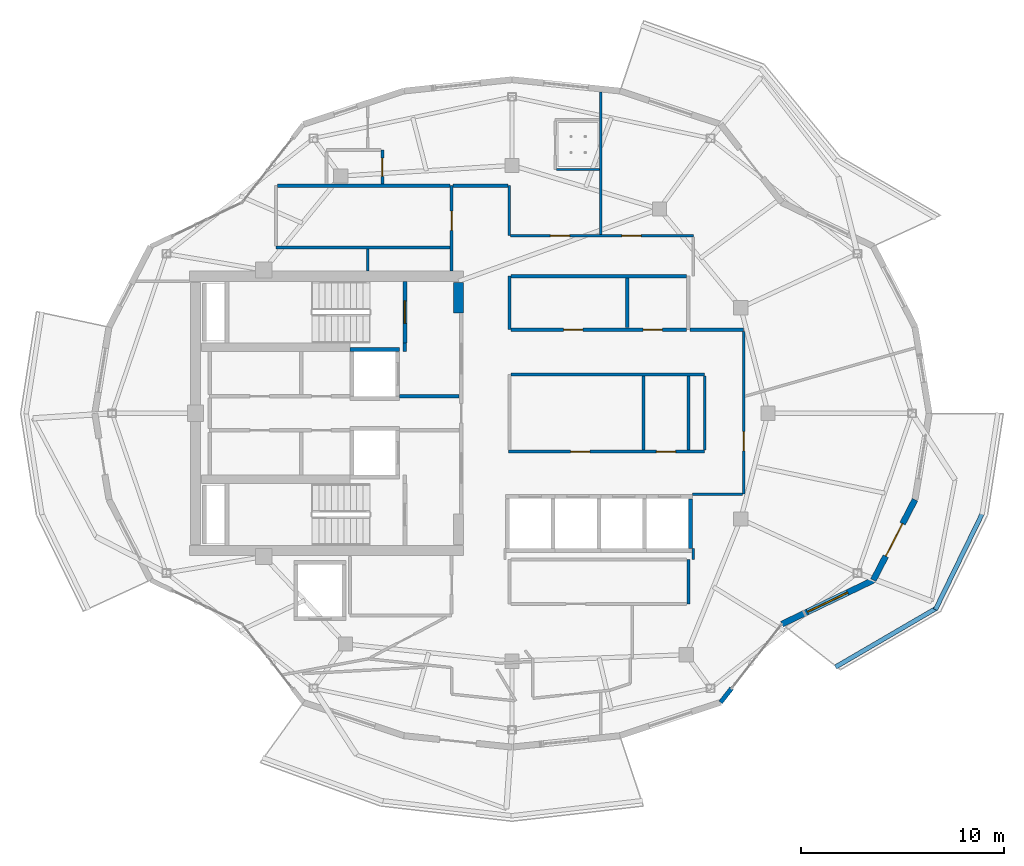
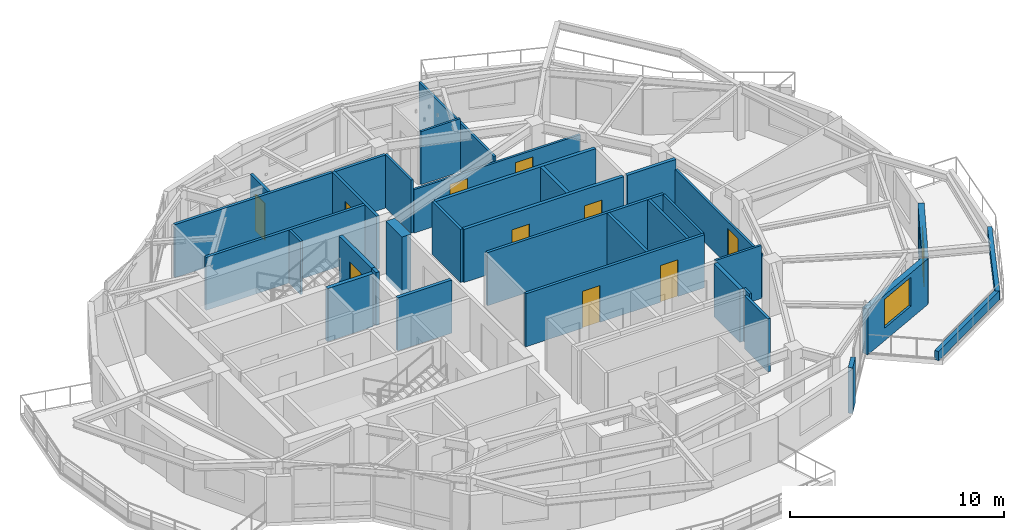
# One storey, part 10 of 15: 35 walls, 11 doors, 1 window, 12 openings.
"""IFC4 building model written with IfcOpenShell, lengths in metres."""

from ifc_helpers import new_model, si_unit, direction, frame, frame_2d, origin, place, context, subcontext, project, spatial, rectangle, extrude, material, layer, layer_set, type_object, element, fill, save


model = new_model("IFC4")

# Units and contexts
model_context = context("Model", 3, precision=1e-05, world=origin(), true_north=direction((0.0, 1.0)))
body_context = subcontext(model_context, "Body", "Model", "MODEL_VIEW")
ifc_project = project(units=[si_unit("LENGTHUNIT", "METRE"), si_unit("AREAUNIT", "SQUARE_METRE"), si_unit("VOLUMEUNIT", "CUBIC_METRE"), si_unit("PLANEANGLEUNIT", "RADIAN"), si_unit("MASSUNIT", "GRAM", prefix="KILO")], contexts=[model_context])

# Site, building, storey
site_placement = place(None, origin())
site = spatial("IfcSite", under=ifc_project, at=site_placement, CompositionType="ELEMENT")
building_placement = place(site_placement, origin())
building = spatial("IfcBuilding", under=site, at=building_placement, Name="Kolvaren Gate Tower and Convention Centre", CompositionType="ELEMENT")
storey_placement = place(building_placement, frame((0.0, 0.0, 265.699951171875)))
storey = spatial("IfcBuildingStorey", under=building, at=storey_placement, Name="L72", CompositionType="ELEMENT", Elevation=265.699951171875)

# Walls
ifc_material_1 = material(Name="Autoclaved Aerated Masonry Blockwork Class 4 (4.0 MPa)", Category="masonry")
ifc_layer_1 = layer(ifc_material_1, 0.179931640625)
ifc_layer_set_1 = layer_set([ifc_layer_1], Name="Autoclaved Aerated Masonry Blockwork Class 4 (4.0 MPa)")
wall_type_1 = type_object("IfcWallType", Name="ARCH-WL-COMP-180", PredefinedType="SOLIDWALL", material=ifc_layer_set_1)
wall_1_placement = place(storey_placement, frame((24.85009765625, 30.0400390625, 0.0), z_axis=(0.0, 0.0, 1.0), x_axis=(0.0, 1.0, 0.0)))
element("IfcWall", 1, at=wall_1_placement, inside=storey, type_object=wall_type_1, Name="Interior Partition WL-L72-INT-002", PredefinedType="SOLIDWALL", context=body_context, shape_type="SweptSolid", body=[
    extrude(rectangle(XDim=0.419921875, YDim=0.179931640625, at=frame_2d((0.2099609375, 0.0))), origin(), (0.0, 0.0, 1.0), 3.030029296875),
])
wall_2_placement = place(storey_placement, frame((24.60009765625, 27.840087890625, 0.0), z_axis=(0.0, 0.0, 1.0), x_axis=(1.0, 0.0, 0.0)))
element("IfcWall", 2, at=wall_2_placement, inside=storey, type_object=wall_type_1, Name="Interior Partition WL-L72-INT-004 (2)", PredefinedType="SOLIDWALL", context=body_context, shape_type="SweptSolid", body=[
    extrude(rectangle(XDim=2.927978515625, YDim=0.179931640625, at=frame_2d((1.4638671875, 0.0))), origin(), (0.0, 0.0, 1.0), 3.030029296875),
])

# Wall, openings, doors
wall_3_placement = place(storey_placement, frame((30.076904296875, 31.1201171875, 0.0), z_axis=(0.0, 0.0, 1.0), x_axis=(1.0, 0.0, 0.0)))
wall_3 = element("IfcWall", 3, at=wall_3_placement, inside=storey, type_object=wall_type_1, Name="Interior Partition WL-L72-INT-024", PredefinedType="SOLIDWALL", context=body_context, shape_type="SweptSolid", body=[
    extrude(rectangle(XDim=8.631103515625, YDim=0.179931640625, at=frame_2d((4.3154296875, 0.0))), origin(), (0.0, 0.0, 1.0), 3.030029296875),
])
opening_1_placement = place(wall_3_placement, frame((2.591552734375, 0.0, 0.0)))
opening_1 = element("IfcOpeningElement", 4, at=opening_1_placement, cuts=wall_3, Name="Opening DR-01", PredefinedType="OPENING", context=body_context, shape_type="SweptSolid", body=[
    extrude(rectangle(XDim=0.949951171875, YDim=2.10009765625, at=frame_2d((0.47509765625, 1.050048828125))), frame((0.0, 0.099853515625, 0.0), z_axis=(0.0, -1.0, 0.0), x_axis=(1.0, 0.0, 0.0)), (0.0, 0.0, 1.0), 0.199951171875),
])
opening_2_placement = place(wall_3_placement, frame((6.4970703125, 0.0, 0.0)))
opening_2 = element("IfcOpeningElement", 5, at=opening_2_placement, cuts=wall_3, Name="Opening DR-01", PredefinedType="OPENING", context=body_context, shape_type="SweptSolid", body=[
    extrude(rectangle(XDim=0.949951171875, YDim=2.10009765625, at=frame_2d((0.47509765625, 1.050048828125))), frame((0.0, 0.099853515625, 0.0), z_axis=(0.0, -1.0, 0.0), x_axis=(1.0, 0.0, 0.0)), (0.0, 0.0, 1.0), 0.199951171875),
])
ifc_material_2 = material(Name="Painted Architectural Steelwork ASTM A500 Grade C 345 MPa", Category="steel")
door_type_1 = type_object("IfcDoorType", Name="ARCH-DR-RISER-950", OperationType="SINGLE_SWING_RIGHT", PredefinedType="DOOR", material=ifc_material_2)
door_1_placement = place(opening_1_placement, origin())
door_1 = element("IfcDoor", 6, at=door_1_placement, inside=storey, type_object=door_type_1, Name="Steward Supply Store Door", OperationType="SINGLE_SWING_LEFT", OverallHeight=2.10009765625, OverallWidth=0.949951171875, PredefinedType="DOOR", context=body_context, shape_type="SweptSolid", body=[
    extrude(rectangle(XDim=0.949951171875, YDim=2.10009765625, at=frame_2d((0.47509765625, 1.050048828125))), frame((0.0, 0.02490234375, 0.0), z_axis=(0.0, -1.0, 0.0), x_axis=(1.0, 0.0, 0.0)), (0.0, 0.0, 1.0), 0.050048828125),
])
fill(opening_1, door_1)
door_2_placement = place(opening_2_placement, origin())
door_2 = element("IfcDoor", 7, at=door_2_placement, inside=storey, type_object=door_type_1, Name="Floor Telecom Switch Room Door", OperationType="SINGLE_SWING_RIGHT", OverallHeight=2.10009765625, OverallWidth=0.949951171875, PredefinedType="DOOR", context=body_context, shape_type="SweptSolid", body=[
    extrude(rectangle(XDim=0.949951171875, YDim=2.10009765625, at=frame_2d((0.47509765625, 1.050048828125))), frame((0.0, 0.02490234375, 0.0), z_axis=(0.0, -1.0, 0.0), x_axis=(1.0, 0.0, 0.0)), (0.0, 0.0, 1.0), 0.050048828125),
])
fill(opening_2, door_2)

# Walls
wall_4_placement = place(storey_placement, frame((38.89208984375, 31.1201171875, 0.0), z_axis=(0.0, 0.0, 1.0), x_axis=(1.0, 0.0, 0.0)))
element("IfcWall", 8, at=wall_4_placement, inside=storey, type_object=wall_type_1, Name="Interior Partition WL-L72-INT-024 (2)", PredefinedType="SOLIDWALL", context=body_context, shape_type="SweptSolid", body=[
    extrude(rectangle(XDim=2.6279296875, YDim=0.179931640625, at=frame_2d((1.31396484375, 0.0))), origin(), (0.0, 0.0, 1.0), 3.030029296875),
])
wall_5_placement = place(storey_placement, frame((30.076904296875, 33.75, 0.0), z_axis=(0.0, 0.0, 1.0), x_axis=(1.0, 0.0, 0.0)))
element("IfcWall", 9, at=wall_5_placement, inside=storey, type_object=wall_type_1, Name="Interior Partition WL-L72-INT-025", PredefinedType="SOLIDWALL", context=body_context, shape_type="SweptSolid", body=[
    extrude(rectangle(XDim=8.631103515625, YDim=0.179931640625, at=frame_2d((4.3154296875, 0.0))), origin(), (0.0, 0.0, 1.0), 3.030029296875),
])
wall_6_placement = place(storey_placement, frame((35.800048828125, 31.2119140625, 0.0), z_axis=(0.0, 0.0, 1.0), x_axis=(0.0, 1.0, 0.0)))
element("IfcWall", 10, at=wall_6_placement, inside=storey, type_object=wall_type_1, Name="Interior Partition WL-L72-INT-026", PredefinedType="SOLIDWALL", context=body_context, shape_type="SweptSolid", body=[
    extrude(rectangle(XDim=2.446044921875, YDim=0.179931640625, at=frame_2d((1.22314453125, 0.0))), origin(), (0.0, 0.0, 1.0), 3.030029296875),
])
ifc_material_3 = material(Name="Fire-Rated Acoustic Gypsum Stud Partition", Category="gypsum")
ifc_layer_2 = layer(ifc_material_3, 0.1201171875)
ifc_layer_set_2 = layer_set([ifc_layer_2], Name="Fire-Rated Acoustic Gypsum Stud Partition")
wall_type_2 = type_object("IfcWallType", Name="ARCH-WL-PART-120", PredefinedType="PARTITIONING", material=ifc_layer_set_2)
wall_7_placement = place(storey_placement, frame((30.0, 35.75, 0.0), z_axis=(0.0, 0.0, 1.0), x_axis=(0.0, 1.0, 0.0)))
element("IfcWall", 11, at=wall_7_placement, inside=storey, type_object=wall_type_2, Name="Interior Partition WL-L72-INT-018", PredefinedType="PARTITIONING", context=body_context, shape_type="SweptSolid", body=[
    extrude(rectangle(XDim=2.449951171875, YDim=0.1201171875, at=frame_2d((1.22509765625, 0.0))), origin(), (0.0, 0.0, 1.0), 3.030029296875),
])

# Wall, openings, doors
wall_8_placement = place(storey_placement, frame((30.06201171875, 35.75, 0.0), z_axis=(0.0, 0.0, 1.0), x_axis=(1.0, 0.0, 0.0)))
wall_8 = element("IfcWall", 12, at=wall_8_placement, inside=storey, type_object=wall_type_2, Name="Interior Partition WL-L72-INT-032", PredefinedType="PARTITIONING", context=body_context, shape_type="SweptSolid", body=[
    extrude(rectangle(XDim=8.988037109375, YDim=0.1201171875, at=frame_2d((4.494140625, 0.0))), origin(), (0.0, 0.0, 1.0), 2.47802734375),
])
opening_3_placement = place(wall_8_placement, frame((5.472900390625, 0.0, 0.0)))
opening_3 = element("IfcOpeningElement", 13, at=opening_3_placement, cuts=wall_8, Name="Opening DR-01", PredefinedType="OPENING", context=body_context, shape_type="SweptSolid", body=[
    extrude(rectangle(XDim=0.949951171875, YDim=2.10009765625, at=frame_2d((0.47509765625, 1.050048828125))), frame((0.0, 0.070068359375, 0.0), z_axis=(0.0, -1.0, 0.0), x_axis=(1.0, 0.0, 0.0)), (0.0, 0.0, 1.0), 0.14013671875),
])
opening_4_placement = place(wall_8_placement, frame((1.948974609375, 0.0, 0.0)))
opening_4 = element("IfcOpeningElement", 14, at=opening_4_placement, cuts=wall_8, Name="Opening DR-01", PredefinedType="OPENING", context=body_context, shape_type="SweptSolid", body=[
    extrude(rectangle(XDim=0.949951171875, YDim=2.10009765625, at=frame_2d((0.47509765625, 1.050048828125))), frame((0.0, 0.070068359375, 0.0), z_axis=(0.0, -1.0, 0.0), x_axis=(1.0, 0.0, 0.0)), (0.0, 0.0, 1.0), 0.14013671875),
])
door_3_placement = place(opening_3_placement, origin())
door_3 = element("IfcDoor", 15, at=door_3_placement, inside=storey, type_object=door_type_1, Name="Resident Private Study and Home Office Door", OperationType="SINGLE_SWING_RIGHT", OverallHeight=2.10009765625, OverallWidth=0.949951171875, PredefinedType="DOOR", context=body_context, shape_type="SweptSolid", body=[
    extrude(rectangle(XDim=0.949951171875, YDim=2.10009765625, at=frame_2d((0.47509765625, 1.050048828125))), frame((0.0, 0.02490234375, 0.0), z_axis=(0.0, -1.0, 0.0), x_axis=(1.0, 0.0, 0.0)), (0.0, 0.0, 1.0), 0.050048828125),
])
fill(opening_3, door_3)
door_4_placement = place(opening_4_placement, origin())
door_4 = element("IfcDoor", 16, at=door_4_placement, inside=storey, type_object=door_type_1, Name="Sky Villa Living and Dining Room (APT-L72-01) Door", OperationType="SINGLE_SWING_LEFT", OverallHeight=2.10009765625, OverallWidth=0.949951171875, PredefinedType="DOOR", context=body_context, shape_type="SweptSolid", body=[
    extrude(rectangle(XDim=0.949951171875, YDim=2.10009765625, at=frame_2d((0.47509765625, 1.050048828125))), frame((0.0, 0.02490234375, 0.0), z_axis=(0.0, -1.0, 0.0), x_axis=(1.0, 0.0, 0.0)), (0.0, 0.0, 1.0), 0.050048828125),
])
fill(opening_4, door_4)

# Wall
wall_9_placement = place(storey_placement, frame((39.050048828125, 19.800048828125, 0.0), z_axis=(0.0, 0.0, 1.0), x_axis=(0.0, 1.0, 0.0)))
element("IfcWall", 17, at=wall_9_placement, inside=storey, type_object=wall_type_2, Name="Interior Partition WL-L72-INT-033", PredefinedType="PARTITIONING", context=body_context, shape_type="SweptSolid", body=[
    extrude(rectangle(XDim=0.56005859375, YDim=0.1201171875, at=frame_2d((0.280029296875, 0.0))), origin(), (0.0, 0.0, 1.0), 3.030029296875),
])

# Wall, opening, door
wall_10_placement = place(storey_placement, frame((41.52001953125, 23.02001953125, 0.0), z_axis=(0.0, 0.0, 1.0), x_axis=(0.0, 1.0, 0.0)))
wall_10 = element("IfcWall", 18, at=wall_10_placement, inside=storey, type_object=wall_type_2, Name="Interior Partition WL-L72-INT-035", PredefinedType="PARTITIONING", context=body_context, shape_type="SweptSolid", body=[
    extrude(rectangle(XDim=8.008056640625, YDim=0.1201171875, at=frame_2d((4.00390625, 0.0))), origin(), (0.0, 0.0, 1.0), 2.47802734375),
])
opening_5_placement = place(wall_10_placement, frame((2.134765625, 0.0, 0.0)))
opening_5 = element("IfcOpeningElement", 19, at=opening_5_placement, cuts=wall_10, Name="Opening DR-01", PredefinedType="OPENING", context=body_context, shape_type="SweptSolid", body=[
    extrude(rectangle(XDim=0.949951171875, YDim=2.10009765625, at=frame_2d((0.47509765625, 1.050048828125))), frame((0.0, 0.070068359375, 0.0), z_axis=(0.0, -1.0, 0.0), x_axis=(1.0, 0.0, 0.0)), (0.0, 0.0, 1.0), 0.14013671875),
])
door_5_placement = place(opening_5_placement, origin())
door_5 = element("IfcDoor", 20, at=door_5_placement, inside=storey, type_object=door_type_1, Name="Resident Private Study and Home Office Door", OperationType="SINGLE_SWING_LEFT", OverallHeight=2.10009765625, OverallWidth=0.949951171875, PredefinedType="DOOR", context=body_context, shape_type="SweptSolid", body=[
    extrude(rectangle(XDim=0.949951171875, YDim=2.10009765625, at=frame_2d((0.47509765625, 1.050048828125))), frame((0.0, 0.02490234375, 0.0), z_axis=(0.0, -1.0, 0.0), x_axis=(1.0, 0.0, 0.0)), (0.0, 0.0, 1.0), 0.050048828125),
])
fill(opening_5, door_5)

# Walls
wall_11_placement = place(storey_placement, frame((39.0, 23.02001953125, 0.0), z_axis=(0.0, 0.0, 1.0), x_axis=(1.0, 0.0, 0.0)))
element("IfcWall", 21, at=wall_11_placement, inside=storey, type_object=wall_type_2, Name="Interior Partition WL-L72-INT-036", PredefinedType="PARTITIONING", context=body_context, shape_type="SweptSolid", body=[
    extrude(rectangle(XDim=2.4580078125, YDim=0.1201171875, at=frame_2d((1.22900390625, 0.0))), origin(), (0.0, 0.0, 1.0), 3.030029296875),
])
wall_12_placement = place(storey_placement, frame((39.60009765625, 25.197021484375, 0.0), z_axis=(0.0, 0.0, 1.0), x_axis=(0.0, 1.0, 0.0)))
element("IfcWall", 22, at=wall_12_placement, inside=storey, type_object=wall_type_2, Name="Interior Partition WL-L72-INT-048", PredefinedType="PARTITIONING", context=body_context, shape_type="SweptSolid", body=[
    extrude(rectangle(XDim=3.64599609375, YDim=0.1201171875, at=frame_2d((1.822998046875, 0.0))), origin(), (0.0, 0.0, 1.0), 3.030029296875),
])
wall_13_placement = place(storey_placement, frame((34.5, 35.81201171875, 0.0), z_axis=(0.0, 0.0, 1.0), x_axis=(0.0, 1.0, 0.0)))
element("IfcWall", 23, at=wall_13_placement, inside=storey, type_object=wall_type_2, Name="Interior Partition WL-L72-INT-054", PredefinedType="PARTITIONING", context=body_context, shape_type="SweptSolid", body=[
    extrude(rectangle(XDim=6.999267578125, YDim=0.1201171875, at=frame_2d((3.49951171875, 0.0))), origin(), (0.0, 0.0, 1.0), 2.77001953125),
])
wall_14_placement = place(storey_placement, frame((32.31201171875, 39.0, 0.0), z_axis=(0.0, 0.0, 1.0), x_axis=(1.0, 0.0, 0.0)))
element("IfcWall", 24, at=wall_14_placement, inside=storey, type_object=wall_type_2, Name="Interior Partition WL-L72-INT-058", PredefinedType="PARTITIONING", context=body_context, shape_type="SweptSolid", body=[
    extrude(rectangle(XDim=2.1259765625, YDim=0.1201171875, at=frame_2d((1.06298828125, 0.0))), origin(), (0.0, 0.0, 1.0), 3.030029296875),
])
wall_15_placement = place(storey_placement, frame((23.02392578125, 34.001953125, 0.0), z_axis=(0.0, 0.0, 1.0), x_axis=(0.0, 1.0, 0.0)))
element("IfcWall", 25, at=wall_15_placement, inside=storey, type_object=wall_type_2, Name="Interior Partition WL-L72-INT-061", PredefinedType="PARTITIONING", context=body_context, shape_type="SweptSolid", body=[
    extrude(rectangle(XDim=1.0810546875, YDim=0.1201171875, at=frame_2d((0.54052734375, 0.0))), origin(), (0.0, 0.0, 1.0), 3.030029296875),
])
ifc_material_4 = material(Name="Bogota Sabana Bush-Hammered Sandstone Cladding", Category="masonry")
ifc_layer_3 = layer(ifc_material_4, 0.219970703125)
ifc_layer_set_3 = layer_set([ifc_layer_3], Name="Bogota Sabana Bush-Hammered Sandstone Cladding")
wall_type_3 = type_object("IfcWallType", Name="ARCH-WL-PIER-220", PredefinedType="SOLIDWALL", material=ifc_layer_set_3)
wall_16_placement = place(storey_placement, frame((40.390625, 12.775390625, 0.0), z_axis=(0.0, 0.0, 1.0), x_axis=(0.616368366719, 0.787457958566, 0.0)))
element("IfcWall", 26, at=wall_16_placement, inside=storey, type_object=wall_type_3, Name="Tower L72 Unitised Curtain Wall CW-RES-UNIT Bay 20 Left Column Pier Wrap", PredefinedType="SOLIDWALL", context=body_context, shape_type="SweptSolid", body=[
    extrude(rectangle(XDim=0.876220703125, YDim=0.219970703125, at=frame_2d((0.43798828125, 0.0))), origin(), (0.0, 0.0, 1.0), 2.60498046875),
])
ifc_material_5 = material(Name="Piedmont Cream Honed Limestone Cladding", Category="masonry")
ifc_layer_4 = layer(ifc_material_5, 0.219970703125)
ifc_layer_set_4 = layer_set([ifc_layer_4], Name="Piedmont Cream Honed Limestone Cladding")
wall_type_4 = type_object("IfcWallType", Name="ARCH-WL-PLANTER-220", PredefinedType="PARAPET", material=ifc_layer_set_4)
wall_17_placement = place(storey_placement, frame((46.0478515625, 14.515380859375, 0.0), z_axis=(0.0, 0.0, 1.0), x_axis=(0.863803671285, 0.503828559606, 0.0)))
element("IfcWall", 27, at=wall_17_placement, inside=storey, type_object=wall_type_4, Name="Vertical-Forest Balcony Stone Planter Kerb PK-L72-4.1", PredefinedType="PARAPET", context=body_context, shape_type="SweptSolid", body=[
    extrude(rectangle(XDim=5.719482421875, YDim=0.219970703125, at=frame_2d((2.85986328125, 0.0))), origin(), (0.0, 0.0, 1.0), 0.52001953125),
])
wall_18_placement = place(storey_placement, frame((50.96240234375, 17.341064453125, 0.0), z_axis=(0.0, 0.0, 1.0), x_axis=(0.438469339137, 0.898746148051, 0.0)))
element("IfcWall", 28, at=wall_18_placement, inside=storey, type_object=wall_type_4, Name="Vertical-Forest Balcony Stone Planter Kerb PK-L72-4.2", PredefinedType="PARAPET", context=body_context, shape_type="SweptSolid", body=[
    extrude(rectangle(XDim=5.26171875, YDim=0.219970703125, at=frame_2d((2.630859375, 0.0))), origin(), (0.0, 0.0, 1.0), 0.52001953125),
])
ifc_layer_5 = layer(ifc_material_1, 0.199951171875)
ifc_layer_set_5 = layer_set([ifc_layer_5], Name="Autoclaved Aerated Masonry Blockwork Class 4 (4.0 MPa)")
wall_type_5 = type_object("IfcWallType", Name="ARCH-WL-SHAFT-200", PredefinedType="SOLIDWALL", material=ifc_layer_set_5)
wall_19_placement = place(storey_placement, frame((22.14990234375, 30.139892578125, 0.0), z_axis=(0.0, 0.0, 1.0), x_axis=(1.0, 0.0, 0.0)))
element("IfcWall", 29, at=wall_19_placement, inside=storey, type_object=wall_type_5, Name="Elevator FF-01 L72 Fire Shaft Wall N", PredefinedType="SOLIDWALL", context=body_context, shape_type="SweptSolid", body=[
    extrude(rectangle(XDim=2.4501953125, YDim=0.199951171875, at=frame_2d((1.22509765625, 0.0))), origin(), (0.0, 0.0, 1.0), 3.030029296875),
])
wall_20_placement = place(storey_placement, frame((38.89990234375, 20.360107421875, 0.0), z_axis=(0.0, 0.0, 1.0), x_axis=(0.0, 1.0, 0.0)))
element("IfcWall", 30, at=wall_20_placement, inside=storey, type_object=wall_type_5, Name="Elevator PL-12 L72 Fire Shaft Wall E", PredefinedType="SOLIDWALL", context=body_context, shape_type="SweptSolid", body=[
    extrude(rectangle(XDim=2.429931640625, YDim=0.199951171875, at=frame_2d((1.21484375, 0.0))), origin(), (0.0, 0.0, 1.0), 3.030029296875),
])

# Wall, opening, window
ifc_layer_6 = layer(ifc_material_5, 0.300048828125)
ifc_layer_set_6 = layer_set([ifc_layer_6], Name="Piedmont Cream Honed Limestone Cladding")
wall_type_6 = type_object("IfcWallType", Name="ARCH-WL-STONE-300", PredefinedType="SOLIDWALL", material=ifc_layer_set_6)
wall_21_placement = place(storey_placement, frame((43.40380859375, 16.62451171875, 0.0), z_axis=(0.0, 0.0, 1.0), x_axis=(0.901346013132, 0.433099716706, 0.0)))
wall_21 = element("IfcWall", 31, at=wall_21_placement, inside=storey, type_object=wall_type_6, Name="Tower L72 Honed Stone Spandrel Wall EW-21", PredefinedType="SOLIDWALL", context=body_context, shape_type="SweptSolid", body=[
    extrude(rectangle(XDim=4.994384765625, YDim=0.300048828125, at=frame_2d((2.4970703125, 0.0))), origin(), (0.0, 0.0, 1.0), 2.60498046875),
])
opening_6_placement = place(wall_21_placement, frame((1.39697265625, 0.0, 0.719970703125)))
opening_6 = element("IfcOpeningElement", 32, at=opening_6_placement, cuts=wall_21, Name="Opening W-03", PredefinedType="OPENING", context=body_context, shape_type="SweptSolid", body=[
    extrude(rectangle(XDim=2.199951171875, YDim=1.64990234375, at=frame_2d((1.10009765625, 0.824951171875))), frame((0.0, 0.159912109375, 0.0), z_axis=(0.0, -1.0, 0.0), x_axis=(1.0, 0.0, 0.0)), (0.0, 0.0, 1.0), 0.320068359375),
])
ifc_material_6 = material(Name="Low-E Triple Insulated Glazing Unit 44 mm", Category="glass")
window_type = type_object("IfcWindowType", Name="ARCH-WN-RES-2200", PartitioningType="SINGLE_PANEL", PredefinedType="WINDOW", material=ifc_material_6)
window_placement = place(opening_6_placement, origin())
window = element("IfcWindow", 33, at=window_placement, inside=storey, type_object=window_type, Name="Tower L72 Punched Stone Facade Window W-21", OverallHeight=1.64990234375, OverallWidth=2.199951171875, PartitioningType="SINGLE_PANEL", PredefinedType="WINDOW", context=body_context, shape_type="SweptSolid", body=[
    extrude(rectangle(XDim=2.199951171875, YDim=1.64990234375, at=frame_2d((1.10009765625, 0.824951171875))), frame((0.0, 0.030029296875, 0.0), z_axis=(0.0, -1.0, 0.0), x_axis=(1.0, 0.0, 0.0)), (0.0, 0.0, 1.0), 0.06005859375),
])
fill(opening_6, window)

# Wall, opening, door
wall_22_placement = place(storey_placement, frame((47.905517578125, 18.78759765625, 0.0), z_axis=(0.0, 0.0, 1.0), x_axis=(0.459801070243, 0.888021945564, 0.0)))
wall_22 = element("IfcWall", 34, at=wall_22_placement, inside=storey, type_object=wall_type_6, Name="Tower L72 Honed Stone Spandrel Wall EW-22", PredefinedType="SOLIDWALL", context=body_context, shape_type="SweptSolid", body=[
    extrude(rectangle(XDim=4.460693359375, YDim=0.300048828125, at=frame_2d((2.23046875, 0.0))), origin(), (0.0, 0.0, 1.0), 2.60498046875),
])
opening_7_placement = place(wall_22_placement, frame((1.330078125, 0.0, 0.0)))
opening_7 = element("IfcOpeningElement", 35, at=opening_7_placement, cuts=wall_22, Name="Opening DB-01", PredefinedType="OPENING", context=body_context, shape_type="SweptSolid", body=[
    extrude(rectangle(XDim=1.800048828125, YDim=2.25, at=frame_2d((0.89990234375, 1.125))), frame((0.0, 0.159912109375, 0.0), z_axis=(0.0, -1.0, 0.0), x_axis=(1.0, 0.0, 0.0)), (0.0, 0.0, 1.0), 0.320068359375),
])
ifc_material_7 = material(Name="Anodized Architectural Aluminium Alloy 6063-T6", Category="aluminium")
door_type_2 = type_object("IfcDoorType", Name="ARCH-DR-BALC-1800", OperationType="SLIDING_TO_LEFT", PredefinedType="DOOR", material=ifc_material_7)
door_6_placement = place(opening_7_placement, frame((1.800048828125, 0.0, 0.0), z_axis=(0.0, 0.0, 1.0), x_axis=(-1.0, 0.0, 0.0)))
door_6 = element("IfcDoor", 36, at=door_6_placement, inside=storey, type_object=door_type_2, Name="Planted Sky Terrace Access Door DB-L72-22", OperationType="SLIDING_TO_LEFT", OverallHeight=2.25, OverallWidth=1.800048828125, PredefinedType="DOOR", context=body_context, shape_type="SweptSolid", body=[
    extrude(rectangle(XDim=1.800048828125, YDim=2.25, at=frame_2d((0.89990234375, 1.125))), frame((0.0, 0.02490234375, 0.0), z_axis=(0.0, -1.0, 0.0), x_axis=(1.0, 0.0, 0.0)), (0.0, 0.0, 1.0), 0.050048828125),
])
fill(opening_7, door_6)

ifc_material_8 = material(Name="Moisture-Resistant Cement-Board Acoustic Partition", Category="gypsum")
ifc_layer_7 = layer(ifc_material_8, 0.14990234375)
ifc_layer_set_7 = layer_set([ifc_layer_7], Name="Moisture-Resistant Cement-Board Acoustic Partition")
wall_type_7 = type_object("IfcWallType", Name="ARCH-WL-WET-150", PredefinedType="PARTITIONING", material=ifc_layer_set_7)
wall_23_placement = place(storey_placement, frame((27.14990234375, 34.001953125, 0.0), z_axis=(0.0, 0.0, 1.0), x_axis=(0.0, 1.0, 0.0)))
wall_23 = element("IfcWall", 37, at=wall_23_placement, inside=storey, type_object=wall_type_7, Name="Interior Partition WL-L72-INT-013", PredefinedType="PARTITIONING", context=body_context, shape_type="SweptSolid", body=[
    extrude(rectangle(XDim=4.197998046875, YDim=0.14990234375, at=frame_2d((2.09912109375, 0.0))), origin(), (0.0, 0.0, 1.0), 3.030029296875),
])
opening_8_placement = place(wall_23_placement, frame((1.998046875, 0.0, 0.0)))
opening_8 = element("IfcOpeningElement", 38, at=opening_8_placement, cuts=wall_23, Name="Opening DR-01", PredefinedType="OPENING", context=body_context, shape_type="SweptSolid", body=[
    extrude(rectangle(XDim=0.949951171875, YDim=2.10009765625, at=frame_2d((0.47509765625, 1.050048828125))), frame((0.0, 0.0849609375, 0.0), z_axis=(0.0, -1.0, 0.0), x_axis=(1.0, 0.0, 0.0)), (0.0, 0.0, 1.0), 0.169921875),
])
door_7_placement = place(opening_8_placement, origin())
door_7 = element("IfcDoor", 39, at=door_7_placement, inside=storey, type_object=door_type_1, Name="Reclaimed North Resident Store Door", OperationType="SINGLE_SWING_RIGHT", OverallHeight=2.10009765625, OverallWidth=0.949951171875, PredefinedType="DOOR", context=body_context, shape_type="SweptSolid", body=[
    extrude(rectangle(XDim=0.949951171875, YDim=2.10009765625, at=frame_2d((0.47509765625, 1.050048828125))), frame((0.0, 0.02490234375, 0.0), z_axis=(0.0, -1.0, 0.0), x_axis=(1.0, 0.0, 0.0)), (0.0, 0.0, 1.0), 0.050048828125),
])
fill(opening_8, door_7)

# Wall, openings, doors
wall_24_placement = place(storey_placement, frame((29.9599609375, 25.1201171875, 0.0), z_axis=(0.0, 0.0, 1.0), x_axis=(1.0, 0.0, 0.0)))
wall_24 = element("IfcWall", 40, at=wall_24_placement, inside=storey, type_object=wall_type_7, Name="Interior Partition WL-L72-INT-014", PredefinedType="PARTITIONING", context=body_context, shape_type="SweptSolid", body=[
    extrude(rectangle(XDim=9.64013671875, YDim=0.14990234375, at=frame_2d((4.820068359375, 0.0))), origin(), (0.0, 0.0, 1.0), 3.030029296875),
])
opening_9_placement = place(wall_24_placement, frame((3.050048828125, 0.0, 0.0)))
opening_9 = element("IfcOpeningElement", 41, at=opening_9_placement, cuts=wall_24, Name="Opening DR-01", PredefinedType="OPENING", context=body_context, shape_type="SweptSolid", body=[
    extrude(rectangle(XDim=0.949951171875, YDim=2.10009765625, at=frame_2d((0.47509765625, 1.050048828125))), frame((0.0, 0.0849609375, 0.0), z_axis=(0.0, -1.0, 0.0), x_axis=(1.0, 0.0, 0.0)), (0.0, 0.0, 1.0), 0.169921875),
])
opening_10_placement = place(wall_24_placement, frame((7.264892578125, 0.0, 0.0)))
opening_10 = element("IfcOpeningElement", 42, at=opening_10_placement, cuts=wall_24, Name="Opening DR-01", PredefinedType="OPENING", context=body_context, shape_type="SweptSolid", body=[
    extrude(rectangle(XDim=0.949951171875, YDim=2.10009765625, at=frame_2d((0.47509765625, 1.050048828125))), frame((0.0, 0.0849609375, 0.0), z_axis=(0.0, -1.0, 0.0), x_axis=(1.0, 0.0, 0.0)), (0.0, 0.0, 1.0), 0.169921875),
])
door_8_placement = place(opening_9_placement, origin())
door_8 = element("IfcDoor", 43, at=door_8_placement, inside=storey, type_object=door_type_1, Name="Accessible Universal Washroom Door", OperationType="SINGLE_SWING_LEFT", OverallHeight=2.10009765625, OverallWidth=0.949951171875, PredefinedType="DOOR", context=body_context, shape_type="SweptSolid", body=[
    extrude(rectangle(XDim=0.949951171875, YDim=2.10009765625, at=frame_2d((0.47509765625, 1.050048828125))), frame((0.0, 0.02490234375, 0.0), z_axis=(0.0, -1.0, 0.0), x_axis=(1.0, 0.0, 0.0)), (0.0, 0.0, 1.0), 0.050048828125),
])
fill(opening_9, door_8)
door_9_placement = place(opening_10_placement, origin())
door_9 = element("IfcDoor", 44, at=door_9_placement, inside=storey, type_object=door_type_1, Name="Floor Janitor and Supply Store Door", OperationType="SINGLE_SWING_RIGHT", OverallHeight=2.10009765625, OverallWidth=0.949951171875, PredefinedType="DOOR", context=body_context, shape_type="SweptSolid", body=[
    extrude(rectangle(XDim=0.949951171875, YDim=2.10009765625, at=frame_2d((0.47509765625, 1.050048828125))), frame((0.0, 0.02490234375, 0.0), z_axis=(0.0, -1.0, 0.0), x_axis=(1.0, 0.0, 0.0)), (0.0, 0.0, 1.0), 0.050048828125),
])
fill(opening_10, door_9)

# Walls
wall_25_placement = place(storey_placement, frame((30.0, 31.1201171875, 0.0), z_axis=(0.0, 0.0, 1.0), x_axis=(0.0, 1.0, 0.0)))
element("IfcWall", 45, at=wall_25_placement, inside=storey, type_object=wall_type_7, Name="Interior Partition WL-L72-INT-017", PredefinedType="PARTITIONING", context=body_context, shape_type="SweptSolid", body=[
    extrude(rectangle(XDim=2.6298828125, YDim=0.14990234375, at=frame_2d((1.31494140625, 0.0))), origin(), (0.0, 0.0, 1.0), 3.030029296875),
])
wall_26_placement = place(storey_placement, frame((30.076904296875, 28.919921875, 0.0), z_axis=(0.0, 0.0, 1.0), x_axis=(1.0, 0.0, 0.0)))
element("IfcWall", 46, at=wall_26_placement, inside=storey, type_object=wall_type_7, Name="Interior Partition WL-L72-INT-019", PredefinedType="PARTITIONING", context=body_context, shape_type="SweptSolid", body=[
    extrude(rectangle(XDim=9.523193359375, YDim=0.14990234375, at=frame_2d((4.76171875, 0.0))), origin(), (0.0, 0.0, 1.0), 3.030029296875),
])
wall_27_placement = place(storey_placement, frame((36.60009765625, 25.197021484375, 0.0), z_axis=(0.0, 0.0, 1.0), x_axis=(0.0, 1.0, 0.0)))
element("IfcWall", 47, at=wall_27_placement, inside=storey, type_object=wall_type_7, Name="Interior Partition WL-L72-INT-020", PredefinedType="PARTITIONING", context=body_context, shape_type="SweptSolid", body=[
    extrude(rectangle(XDim=3.64599609375, YDim=0.14990234375, at=frame_2d((1.822998046875, 0.0))), origin(), (0.0, 0.0, 1.0), 3.030029296875),
])
wall_28_placement = place(storey_placement, frame((38.800048828125, 17.6201171875, 0.0), z_axis=(0.0, 0.0, 1.0), x_axis=(0.0, 1.0, 0.0)))
element("IfcWall", 48, at=wall_28_placement, inside=storey, type_object=wall_type_7, Name="Interior Partition WL-L72-INT-021", PredefinedType="PARTITIONING", context=body_context, shape_type="SweptSolid", body=[
    extrude(rectangle(XDim=2.179931640625, YDim=0.14990234375, at=frame_2d((1.08984375, 0.0))), origin(), (0.0, 0.0, 1.0), 3.030029296875),
])
wall_29_placement = place(storey_placement, frame((38.800048828125, 25.197021484375, 0.0), z_axis=(0.0, 0.0, 1.0), x_axis=(0.0, 1.0, 0.0)))
element("IfcWall", 49, at=wall_29_placement, inside=storey, type_object=wall_type_7, Name="Interior Partition WL-L72-INT-022", PredefinedType="PARTITIONING", context=body_context, shape_type="SweptSolid", body=[
    extrude(rectangle(XDim=3.64599609375, YDim=0.14990234375, at=frame_2d((1.822998046875, 0.0))), origin(), (0.0, 0.0, 1.0), 3.030029296875),
])
wall_30_placement = place(storey_placement, frame((18.5, 35.159912109375, 0.0), z_axis=(0.0, 0.0, 1.0), x_axis=(1.0, 0.0, 0.0)))
element("IfcWall", 50, at=wall_30_placement, inside=storey, type_object=wall_type_7, Name="Interior Partition WL-L72-INT-029", PredefinedType="PARTITIONING", context=body_context, shape_type="SweptSolid", body=[
    extrude(rectangle(XDim=8.572998046875, YDim=0.14990234375, at=frame_2d((4.28662109375, 0.0))), origin(), (0.0, 0.0, 1.0), 3.030029296875),
])
wall_31_placement = place(storey_placement, frame((18.576904296875, 38.199951171875, 0.0), z_axis=(0.0, 0.0, 1.0), x_axis=(1.0, 0.0, 0.0)))
element("IfcWall", 51, at=wall_31_placement, inside=storey, type_object=wall_type_7, Name="Interior Partition WL-L72-INT-031", PredefinedType="PARTITIONING", context=body_context, shape_type="SweptSolid", body=[
    extrude(rectangle(XDim=8.49609375, YDim=0.14990234375, at=frame_2d((4.248046875, 0.0))), origin(), (0.0, 0.0, 1.0), 3.030029296875),
])
wall_32_placement = place(storey_placement, frame((27.22705078125, 38.199951171875, 0.0), z_axis=(0.0, 0.0, 1.0), x_axis=(1.0, 0.0, 0.0)))
element("IfcWall", 52, at=wall_32_placement, inside=storey, type_object=wall_type_7, Name="Interior Partition WL-L72-INT-031 (2)", PredefinedType="PARTITIONING", context=body_context, shape_type="SweptSolid", body=[
    extrude(rectangle(XDim=2.7109375, YDim=0.14990234375, at=frame_2d((1.35546875, 0.0))), origin(), (0.0, 0.0, 1.0), 3.030029296875),
])

# Wall, opening, door
wall_33_placement = place(storey_placement, frame((23.75, 38.277099609375, 0.0), z_axis=(0.0, 0.0, 1.0), x_axis=(0.0, 1.0, 0.0)))
wall_33 = element("IfcWall", 53, at=wall_33_placement, inside=storey, type_object=wall_type_7, Name="Interior Partition WL-L72-INT-059", PredefinedType="PARTITIONING", context=body_context, shape_type="SweptSolid", body=[
    extrude(rectangle(XDim=1.6728515625, YDim=0.14990234375, at=frame_2d((0.83642578125, 0.0))), origin(), (0.0, 0.0, 1.0), 3.030029296875),
])
opening_11_placement = place(wall_33_placement, frame((0.386474609375, 0.0, 0.0)))
opening_11 = element("IfcOpeningElement", 54, at=opening_11_placement, cuts=wall_33, Name="Opening DW-01", PredefinedType="OPENING", context=body_context, shape_type="SweptSolid", body=[
    extrude(rectangle(XDim=0.89990234375, YDim=2.10009765625, at=frame_2d((0.449951171875, 1.050048828125))), frame((0.0, 0.0849609375, 0.0), z_axis=(0.0, -1.0, 0.0), x_axis=(1.0, 0.0, 0.0)), (0.0, 0.0, 1.0), 0.169921875),
])
ifc_material_9 = material(Name="FSC Andean Oak Engineered Veneer Door Leaf", Category="wood")
door_type_3 = type_object("IfcDoorType", Name="ARCH-DR-WC-900", OperationType="SINGLE_SWING_RIGHT", PredefinedType="DOOR", material=ifc_material_9)
door_10_placement = place(opening_11_placement, origin())
door_10 = element("IfcDoor", 55, at=door_10_placement, inside=storey, type_object=door_type_3, Name="Apartment Bathroom (APT-L72-01) Door", OperationType="SINGLE_SWING_LEFT", OverallHeight=2.10009765625, OverallWidth=0.89990234375, PredefinedType="DOOR", context=body_context, shape_type="SweptSolid", body=[
    extrude(rectangle(XDim=0.89990234375, YDim=2.10009765625, at=frame_2d((0.449951171875, 1.050048828125))), frame((0.0, 0.02490234375, 0.0), z_axis=(0.0, -1.0, 0.0), x_axis=(1.0, 0.0, 0.0)), (0.0, 0.0, 1.0), 0.050048828125),
])
fill(opening_11, door_10)

# Wall
ifc_material_10 = material(Name="Concrete C50/60", Category="concrete")
ifc_layer_8 = layer(ifc_material_10, 0.5)
ifc_layer_set_8 = layer_set([ifc_layer_8], Name="Concrete C50/60")
wall_type_8 = type_object("IfcWallType", Name="STR-WL-CORE-500", PredefinedType="SHEAR", material=ifc_layer_set_8)
wall_34_placement = place(storey_placement, frame((27.5, 31.949951171875, -0.27001953125), z_axis=(0.0, 0.0, 1.0), x_axis=(0.0, 1.0, 0.0)))
element("IfcWall", 56, at=wall_34_placement, inside=storey, type_object=wall_type_8, Name="Tower L72 Offset Core Shear Wall EN", PredefinedType="SHEAR", context=body_context, shape_type="SweptSolid", body=[
    extrude(rectangle(XDim=1.5, YDim=0.5, at=frame_2d((0.75, 0.0))), origin(), (0.0, 0.0, 1.0), 3.300048828125),
])

# Wall, opening, door
ifc_layer_9 = layer(ifc_material_10, 0.199951171875)
ifc_layer_set_9 = layer_set([ifc_layer_9], Name="Concrete C50/60")
wall_type_9 = type_object("IfcWallType", Name="STR-WL-SHAFT-200", PredefinedType="SHEAR", material=ifc_layer_set_9)
wall_35_placement = place(storey_placement, frame((24.85009765625, 30.4599609375, -0.27001953125), z_axis=(0.0, 0.0, 1.0), x_axis=(0.0, 1.0, 0.0)))
wall_35 = element("IfcWall", 57, at=wall_35_placement, inside=storey, type_object=wall_type_9, Name="Tower North Exit Stair ST-T1 L72 Structural Shear Enclosure Wall NEAR", PredefinedType="SHEAR", context=body_context, shape_type="SweptSolid", body=[
    extrude(rectangle(XDim=3.0380859375, YDim=0.199951171875, at=frame_2d((1.51904296875, 0.0))), origin(), (0.0, 0.0, 1.0), 3.300048828125),
])
opening_12_placement = place(wall_35_placement, frame((0.968994140625, 0.0, 0.27001953125)))
opening_12 = element("IfcOpeningElement", 58, at=opening_12_placement, cuts=wall_35, Name="Opening DS-01", PredefinedType="OPENING", context=body_context, shape_type="SweptSolid", body=[
    extrude(rectangle(XDim=1.10009765625, YDim=2.14990234375, at=frame_2d((0.550048828125, 1.074951171875))), frame((0.0, 0.10986328125, 0.0), z_axis=(0.0, -1.0, 0.0), x_axis=(1.0, 0.0, 0.0)), (0.0, 0.0, 1.0), 0.219970703125),
])
door_type_4 = type_object("IfcDoorType", Name="ARCH-DR-STAIR-1100", OperationType="SINGLE_SWING_LEFT", PredefinedType="DOOR", material=ifc_material_2)
door_11_placement = place(opening_12_placement, origin())
door_11 = element("IfcDoor", 59, at=door_11_placement, inside=storey, type_object=door_type_4, Name="Tower North Exit Stair ST-T1 L72 Fire Exit Stair Door", OperationType="SINGLE_SWING_RIGHT", OverallHeight=2.14990234375, OverallWidth=1.10009765625, PredefinedType="DOOR", context=body_context, shape_type="SweptSolid", body=[
    extrude(rectangle(XDim=1.10009765625, YDim=2.14990234375, at=frame_2d((0.550048828125, 1.074951171875))), frame((0.0, 0.02490234375, 0.0), z_axis=(0.0, -1.0, 0.0), x_axis=(1.0, 0.0, 0.0)), (0.0, 0.0, 1.0), 0.050048828125),
])
fill(opening_12, door_11)

save(model, "model.ifc")
